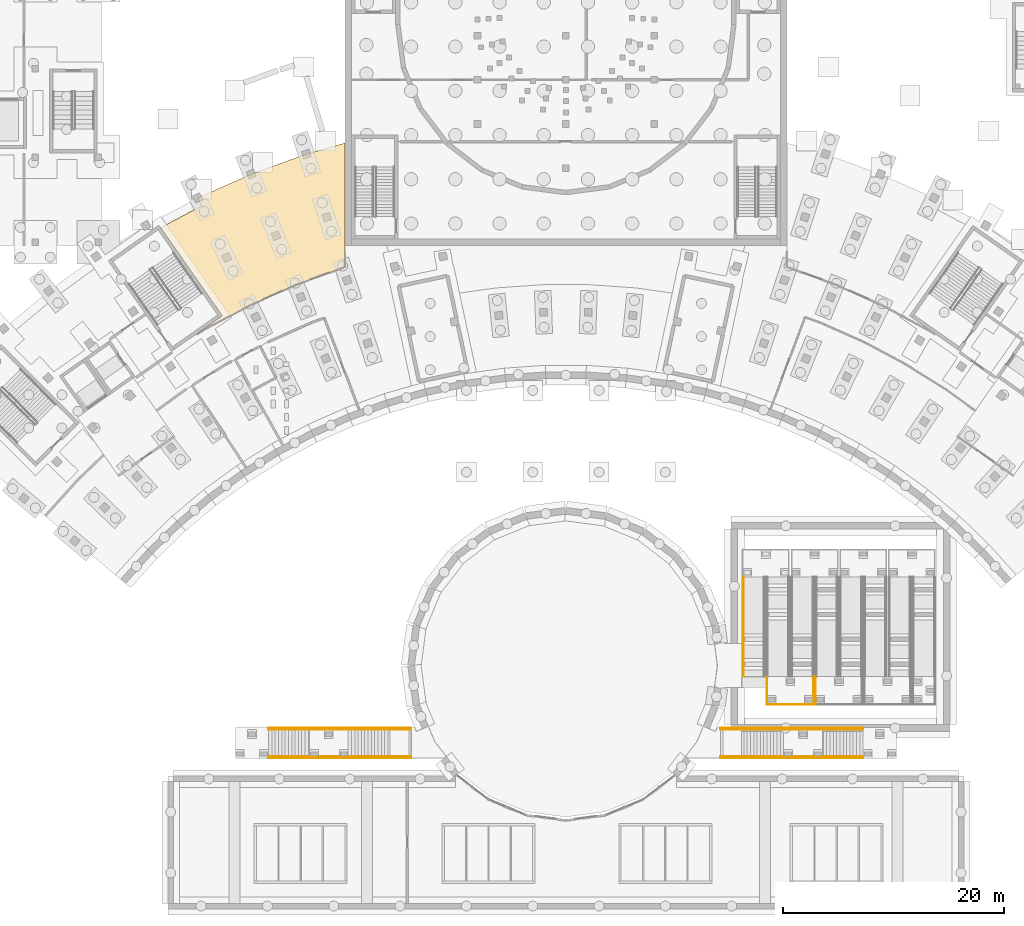
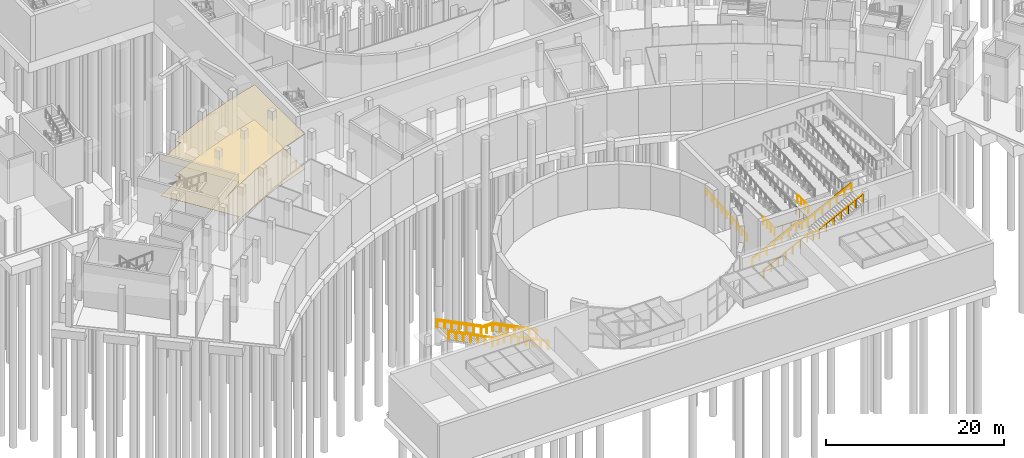
# One storey, part 38 of 66: 12 railings, 2 coverings.
"""IFC4 building model written with IfcOpenShell, lengths in metres."""

import ifcopenshell
import ifcopenshell.guid

model = None  # the IFC model being written
_history = None  # IfcOwnerHistory: only IFC2X3 demands one
_inside = {}  # id of a spatial element -> (the spatial element, [elements in it])
_under = {}  # id of a project, library or spatial element -> (it, [spatial elements below it])
_declared = {}  # id of a project -> (the project, [libraries it declares])
_typed = {}  # id of a type object -> (the type object, [elements of that type])
_made_of = {}  # id of a material, layer set ... -> (it, [elements and type objects made of it])


def new_model(schema):
    """Start an empty IFC model of exactly this schema.

    Asked for "IFC4X3", IfcOpenShell would pick the latest addendum, in which some entities
    have other attributes; the version numbers below select the first issue.
    IFC2X3 requires an IfcOwnerHistory on every rooted entity: one is made here for all.
    """
    global model, _history
    if schema == "IFC4X3":
        model = ifcopenshell.file(schema_version=(4, 3, 0, 0))
    else:
        model = ifcopenshell.file(schema=schema)
    _inside.clear()
    _under.clear()
    _declared.clear()
    _typed.clear()
    _made_of.clear()
    _history = None
    if model.schema == "IFC2X3":
        org = make("IfcOrganization", Name="unknown")
        user = make(
            "IfcPersonAndOrganization",
            ThePerson=make("IfcPerson", FamilyName="unknown"),
            TheOrganization=org,
        )
        app = make(
            "IfcApplication",
            ApplicationDeveloper=org,
            Version="unknown",
            ApplicationFullName="unknown",
            ApplicationIdentifier="unknown",
        )
        _history = make(
            "IfcOwnerHistory",
            OwningUser=user,
            OwningApplication=app,
            ChangeAction="ADDED",
            CreationDate=0,
        )
    return model


def make(cls, **values):
    """One entity of the class cls with the attributes given. An attribute that is None is left unset."""
    return model.create_entity(
        cls, **{name: value for name, value in values.items() if value is not None}
    )


def rooted(cls, **values):
    """An entity with a GlobalId (a new one), such as an element, a storey or a relation."""
    return make(cls, GlobalId=ifcopenshell.guid.new(), OwnerHistory=_history, **values)


def si_unit(unit_type, name, prefix=None):
    """IfcSIUnit, for example si_unit("LENGTHUNIT", "METRE", prefix="MILLI")."""
    return make("IfcSIUnit", UnitType=unit_type, Prefix=prefix, Name=name)


def assignment(units):
    """IfcUnitAssignment: the units of a project."""
    return None if units is None else make("IfcUnitAssignment", Units=units)


def point(xyz):
    """IfcCartesianPoint."""
    return None if xyz is None else make("IfcCartesianPoint", Coordinates=xyz)


def direction(xyz):
    """IfcDirection."""
    return None if xyz is None else make("IfcDirection", DirectionRatios=xyz)


def frame(location, z_axis=None, x_axis=None):
    """IfcAxis2Placement3D, a coordinate frame: its origin and axes. An axis left out is left unset."""
    return make(
        "IfcAxis2Placement3D",
        Location=point(location),
        Axis=direction(z_axis),
        RefDirection=direction(x_axis),
    )


def frame_2d(location, x_axis=None):
    """IfcAxis2Placement2D, a coordinate frame in the plane: its origin and x axis."""
    return make(
        "IfcAxis2Placement2D", Location=point(location), RefDirection=direction(x_axis)
    )


def origin():
    """The frame at (0, 0, 0) with its axes left unset."""
    return frame((0.0, 0.0, 0.0))


def origin_2d():
    """The frame at (0, 0) in the plane with its x axis left unset."""
    return frame_2d((0.0, 0.0))


def place(relative_to, where):
    """IfcLocalPlacement: puts the frame where relative to a parent placement (None: the world)."""
    return make(
        "IfcLocalPlacement", PlacementRelTo=relative_to, RelativePlacement=where
    )


def context(
    kind, dimensions, precision=None, world=None, true_north=None, identifier=None
):
    """IfcGeometricRepresentationContext, for example the 3D "Model" context."""
    return make(
        "IfcGeometricRepresentationContext",
        ContextIdentifier=identifier,
        ContextType=kind,
        CoordinateSpaceDimension=dimensions,
        Precision=precision,
        WorldCoordinateSystem=world,
        TrueNorth=true_north,
    )


def subcontext(parent, identifier, kind, view, scale=None):
    """IfcGeometricRepresentationSubContext, for example "Body" below "Model"."""
    return make(
        "IfcGeometricRepresentationSubContext",
        ContextIdentifier=identifier,
        ContextType=kind,
        ParentContext=parent,
        TargetScale=scale,
        TargetView=view,
    )


def project(units=None, contexts=None):
    """IfcProject with its units and contexts."""
    return rooted(
        "IfcProject",
        Name="project",
        RepresentationContexts=contexts,
        UnitsInContext=assignment(units),
    )


def spatial(cls, under=None, at=None, **own):
    """A site, building, storey or space (cls), placed at a placement, below another one or the project."""
    s = rooted(cls, ObjectPlacement=at, **own)
    if under is not None:
        _under.setdefault(under.id(), (under, []))[1].append(s)
    return s


def polyline(points):
    """IfcPolyline through the points."""
    return make("IfcPolyline", Points=[point(p) for p in points])


def profile(cls, at=None, kind="AREA", **sizes):
    """A parametric profile (cls). Its sizes go by their IFC names, for example OverallWidth=200.0."""
    return make(cls, ProfileType=kind, Position=at, **sizes)


def circle(**sizes):
    """IfcCircleProfileDef."""
    return profile("IfcCircleProfileDef", **sizes)


def outline(outer, holes=None, kind="AREA"):
    """IfcArbitraryClosedProfileDef: a profile drawn as a closed curve; with holes, ...WithVoids."""
    if holes is None:
        return make("IfcArbitraryClosedProfileDef", ProfileType=kind, OuterCurve=outer)
    return make(
        "IfcArbitraryProfileDefWithVoids",
        ProfileType=kind,
        OuterCurve=outer,
        InnerCurves=holes,
    )


def extrude(swept, where, along, depth):
    """IfcExtrudedAreaSolid: the profile swept, set in the frame where, extruded along a direction by depth."""
    return make(
        "IfcExtrudedAreaSolid",
        SweptArea=swept,
        Position=where,
        ExtrudedDirection=direction(along),
        Depth=depth,
    )


def shape(context_of_items, identifier, shape_type, items):
    """IfcShapeRepresentation: the items that make up one representation, for example the "Body"."""
    return make(
        "IfcShapeRepresentation",
        ContextOfItems=context_of_items,
        RepresentationIdentifier=identifier,
        RepresentationType=shape_type,
        Items=items,
    )


def material(Name=None, Category=None):
    """IfcMaterial."""
    return make("IfcMaterial", Name=Name, Category=Category)


def layer(
    of_material, thickness, ventilated=None, Name=None, Category=None, Priority=None
):
    """IfcMaterialLayer: one layer of a wall or slab, of a material (None: an air gap)."""
    return make(
        "IfcMaterialLayer",
        Material=of_material,
        LayerThickness=thickness,
        IsVentilated=ventilated,
        Name=Name,
        Category=Category,
        Priority=Priority,
    )


def layer_set(layers, Name=None):
    """IfcMaterialLayerSet."""
    return make("IfcMaterialLayerSet", MaterialLayers=layers, LayerSetName=Name)


def made_of(thing, what):
    """Note that an element or type object is made of a material, layer set ...; save() writes the relation."""
    if what is not None:
        _made_of.setdefault(what.id(), (what, []))[1].append(thing)
    return thing


def type_object(cls, material=None, **own):
    """A type object (cls), such as IfcWallType, which elements share."""
    return made_of(rooted(cls, **own), material)


def element(
    cls,
    number,
    at=None,
    inside=None,
    cuts=None,
    type_object=None,
    material=None,
    context=None,
    identifier="Body",
    shape_type=None,
    held_by="IfcProductDefinitionShape",
    body=None,
    shapes=None,
    **own,
):
    """One element of the class cls, such as IfcWall. Its Tag is "e" and its number.

    at: its placement. inside: the storey or other place that contains it. cuts: it is an
    opening in that element (IfcRelVoidsElement). A single representation is given by context,
    identifier, shape_type and body (its items); several are given by shapes. held_by: the class
    of the entity that holds the representations. save() writes the other relations.
    """
    e = rooted(cls, Tag="e%d" % number, ObjectPlacement=at, **own)
    if body is not None:
        shapes = [shape(context, identifier, shape_type, body)]
    if shapes is not None:
        e.Representation = make(held_by, Representations=shapes)
    if inside is not None:
        _inside.setdefault(inside.id(), (inside, []))[1].append(e)
    if cuts is not None:
        rooted(
            "IfcRelVoidsElement", RelatingBuildingElement=cuts, RelatedOpeningElement=e
        )
    if type_object is not None:
        _typed.setdefault(type_object.id(), (type_object, []))[1].append(e)
    return made_of(e, material)


def aggregate(whole, parts):
    """IfcRelAggregates: a whole, such as a stair, and the parts it consists of."""
    return rooted("IfcRelAggregates", RelatingObject=whole, RelatedObjects=parts)


def save(model, path):
    """Write the relations noted so far, then the file.

    IfcRelAggregates (storeys below a building ...), IfcRelContainedInSpatialStructure (elements
    in a storey), IfcRelDefinesByType, IfcRelAssociatesMaterial and IfcRelDeclares: one each for
    every whole, place, type object, material and project.
    """
    for whole, parts in _under.values():
        aggregate(whole, parts)
    for where, things in _inside.values():
        rooted(
            "IfcRelContainedInSpatialStructure",
            RelatedElements=things,
            RelatingStructure=where,
        )
    for kind, things in _typed.values():
        rooted("IfcRelDefinesByType", RelatedObjects=things, RelatingType=kind)
    for what, things in _made_of.values():
        rooted("IfcRelAssociatesMaterial", RelatedObjects=things, RelatingMaterial=what)
    for by, libraries in _declared.values():
        rooted("IfcRelDeclares", RelatingContext=by, RelatedDefinitions=libraries)
    model.write(path)


model = new_model("IFC4")

# Units and contexts
model_context = context("Model", 3, precision=1e-05, world=origin(), true_north=direction((0.0, 1.0)))
body_context = subcontext(model_context, "Body", "Model", "MODEL_VIEW")
ifc_project = project(units=[si_unit("LENGTHUNIT", "METRE"), si_unit("AREAUNIT", "SQUARE_METRE"), si_unit("VOLUMEUNIT", "CUBIC_METRE"), si_unit("PLANEANGLEUNIT", "RADIAN"), si_unit("MASSUNIT", "GRAM", prefix="KILO")], contexts=[model_context])

# Site, building, storey
site_placement = place(None, origin())
site = spatial("IfcSite", under=ifc_project, at=site_placement, CompositionType="ELEMENT")
building_placement = place(site_placement, origin())
building = spatial("IfcBuilding", under=site, at=building_placement, Name="Lunette Opera House", CompositionType="ELEMENT")
storey_placement = place(building_placement, frame((0.0, 0.0, -6.0)))
storey = spatial("IfcBuildingStorey", under=building, at=storey_placement, Name="B1", CompositionType="ELEMENT", Elevation=-6.0)

# Railings
ifc_material_1 = material(Name="Steel S355", Category="steel")
railing_type_1 = type_object("IfcRailingType", Name="RAMP GUARD 1100", PredefinedType="GUARDRAIL", material=ifc_material_1)
railing_1_placement = place(storey_placement, frame((114.199951171875, 22.5, 1.5)))
element("IfcRailing", 1, at=railing_1_placement, inside=storey, type_object=railing_type_1, Name="FR2 landing guard 1", PredefinedType="GUARDRAIL", context=body_context, shape_type="SweptSolid", body=[
    extrude(circle(Radius=0.02392578125, at=origin_2d()), frame((0.0, 0.0, 1.076171875), z_axis=(1.0, 0.0, 0.0), x_axis=(0.0, 1.0, 0.0)), (0.0, 0.0, 1.0), 4.199951171875),
    extrude(circle(Radius=0.02392578125, at=origin_2d()), frame((4.199951171875, 0.0, 1.076171875), z_axis=(0.0, 1.0, 0.0), x_axis=(-1.0, 0.0, 0.0)), (0.0, 0.0, 1.0), 2.47998046875),
    extrude(circle(Radius=0.02099609375, at=origin_2d()), origin(), (0.0, 0.0, 1.0), 1.052001953125),
    extrude(circle(Radius=0.02099609375, at=origin_2d()), frame((1.050048828125, 0.0, 0.0)), (0.0, 0.0, 1.0), 1.052001953125),
    extrude(circle(Radius=0.02099609375, at=origin_2d()), frame((2.10009765625, 0.0, 0.0)), (0.0, 0.0, 1.0), 1.052001953125),
    extrude(circle(Radius=0.02099609375, at=origin_2d()), frame((3.14990234375, 0.0, 0.0)), (0.0, 0.0, 1.0), 1.052001953125),
    extrude(circle(Radius=0.02099609375, at=origin_2d()), frame((4.199951171875, 0.0, 0.0)), (0.0, 0.0, 1.0), 1.052001953125),
    extrude(circle(Radius=0.02099609375, at=origin_2d()), frame((4.199951171875, 0.82666015625, 0.0)), (0.0, 0.0, 1.0), 1.052001953125),
    extrude(circle(Radius=0.02099609375, at=origin_2d()), frame((4.199951171875, 1.6533203125, 0.0)), (0.0, 0.0, 1.0), 1.052001953125),
    extrude(circle(Radius=0.02099609375, at=origin_2d()), frame((4.199951171875, 2.47998046875, 0.0)), (0.0, 0.0, 1.0), 1.052001953125),
])
for number, where, name in (
    (2, (114.199951171875, 24.97998046875, 1.5), "FR2 landing guard 3"),
    (3, (118.60009765625, 24.97998046875, 3.0), "FR4 landing guard 3"),
):
    element("IfcRailing", number, at=place(storey_placement, frame(where)), inside=storey, type_object=railing_type_1, Name=name, PredefinedType="GUARDRAIL", context=body_context, shape_type="SweptSolid", body=[
        extrude(circle(Radius=0.02392578125, at=origin_2d()), frame((0.0, 0.0, 1.076171875), z_axis=(0.0, -1.0, 0.0), x_axis=(1.0, 0.0, 0.0)), (0.0, 0.0, 1.0), 2.47998046875),
        extrude(circle(Radius=0.02099609375, at=origin_2d()), origin(), (0.0, 0.0, 1.0), 1.052001953125),
        extrude(circle(Radius=0.02099609375, at=origin_2d()), frame((0.0, -0.82666015625, 0.0)), (0.0, 0.0, 1.0), 1.052001953125),
        extrude(circle(Radius=0.02099609375, at=origin_2d()), frame((0.0, -1.6533203125, 0.0)), (0.0, 0.0, 1.0), 1.052001953125),
        extrude(circle(Radius=0.02099609375, at=origin_2d()), frame((0.0, -2.47998046875, 0.0)), (0.0, 0.0, 1.0), 1.052001953125),
    ])
ifc_material_2 = material(Name="Steel S355", Category="steel")
railing_type_2 = type_object("IfcRailingType", Name="RAMP HANDRAIL 950", PredefinedType="HANDRAIL", material=ifc_material_2)
railing_2_placement = place(storey_placement, frame((112.06005859375, 25.0, 0.0)))
element("IfcRailing", 4, at=railing_2_placement, inside=storey, type_object=railing_type_2, Name="FR1 ramp handrail 1", PredefinedType="HANDRAIL", context=body_context, shape_type="SweptSolid", body=[
    extrude(circle(Radius=0.02392578125, at=origin_2d()), frame((0.0, 0.0, 0.92578125), z_axis=(0.0, 0.996545758245, 0.083045479854), x_axis=(-1.0, 0.0, 0.0)), (0.0, 0.0, 1.0), 9.03125),
    extrude(circle(Radius=0.02099609375, at=origin_2d()), origin(), (0.0, 0.0, 1.0), 0.90185546875),
    extrude(circle(Radius=0.02099609375, at=origin_2d()), frame((0.0, 1.125, 0.09375)), (0.0, 0.0, 1.0), 0.90185546875),
    extrude(circle(Radius=0.02099609375, at=origin_2d()), frame((0.0, 2.25, 0.1875)), (0.0, 0.0, 1.0), 0.90185546875),
    extrude(circle(Radius=0.02099609375, at=origin_2d()), frame((0.0, 3.375, 0.28125)), (0.0, 0.0, 1.0), 0.90185546875),
    extrude(circle(Radius=0.02099609375, at=origin_2d()), frame((0.0, 4.5, 0.375)), (0.0, 0.0, 1.0), 0.90185546875),
    extrude(circle(Radius=0.02099609375, at=origin_2d()), frame((0.0, 5.625, 0.46875)), (0.0, 0.0, 1.0), 0.90185546875),
    extrude(circle(Radius=0.02099609375, at=origin_2d()), frame((0.0, 6.75, 0.5625)), (0.0, 0.0, 1.0), 0.90185546875),
    extrude(circle(Radius=0.02099609375, at=origin_2d()), frame((0.0, 7.875, 0.65625)), (0.0, 0.0, 1.0), 0.90185546875),
    extrude(circle(Radius=0.02099609375, at=origin_2d()), frame((0.0, 9.0, 0.75)), (0.0, 0.0, 1.0), 0.90185546875),
])
ifc_material_3 = material(Name="Steel S355", Category="steel")
railing_type_3 = type_object("IfcRailingType", Name="STAIR GUARD 1100", PredefinedType="GUARDRAIL", material=ifc_material_3)
railing_3_placement = place(storey_placement, frame((82.0, 17.64990234375, 0.14990234375)))
element("IfcRailing", 5, at=railing_3_placement, inside=storey, type_object=railing_type_3, Name="FS1 stair guard 1", PredefinedType="GUARDRAIL", context=body_context, shape_type="SweptSolid", body=[
    extrude(circle(Radius=0.02392578125, at=origin_2d()), frame((0.0, 0.0, 1.076171875), z_axis=(-0.894419528903, 0.0, 0.447228919365), x_axis=(0.0, -1.0, 0.0)), (0.0, 0.0, 1.0), 6.372802734375),
    extrude(circle(Radius=0.02392578125, at=origin_2d()), frame((-5.699951171875, 0.0, 3.92626953125), z_axis=(-1.0, 0.0, 0.0), x_axis=(0.0, -1.0, 0.0)), (0.0, 0.0, 1.0), 1.5),
    extrude(circle(Radius=0.02392578125, at=origin_2d()), frame((-7.199951171875, 0.0, 3.92626953125), z_axis=(0.0, 0.0, 1.0), x_axis=(1.0, 0.0, 0.0)), (0.0, 0.0, 1.0), 0.14990234375),
    extrude(circle(Radius=0.02392578125, at=origin_2d()), frame((-7.199951171875, 0.0, 4.076171875), z_axis=(-0.894419528903, 0.0, 0.447228919365), x_axis=(0.0, -1.0, 0.0)), (0.0, 0.0, 1.0), 6.372802734375),
    extrude(circle(Radius=0.02099609375, at=origin_2d()), origin(), (0.0, 0.0, 1.0), 1.052001953125),
    extrude(circle(Radius=0.02099609375, at=origin_2d()), frame((-0.949951171875, 0.0, 0.47509765625)), (0.0, 0.0, 1.0), 1.052001953125),
    extrude(circle(Radius=0.02099609375, at=origin_2d()), frame((-1.89990234375, 0.0, 0.949951171875)), (0.0, 0.0, 1.0), 1.052001953125),
    extrude(circle(Radius=0.02099609375, at=origin_2d()), frame((-2.85009765625, 0.0, 1.425048828125)), (0.0, 0.0, 1.0), 1.052001953125),
    extrude(circle(Radius=0.02099609375, at=origin_2d()), frame((-3.800048828125, 0.0, 1.900146484375)), (0.0, 0.0, 1.0), 1.052001953125),
    extrude(circle(Radius=0.02099609375, at=origin_2d()), frame((-4.75, 0.0, 2.375)), (0.0, 0.0, 1.0), 1.052001953125),
    extrude(circle(Radius=0.02099609375, at=origin_2d()), frame((-5.699951171875, 0.0, 2.85009765625)), (0.0, 0.0, 1.0), 1.052001953125),
    extrude(circle(Radius=0.02099609375, at=origin_2d()), frame((-6.449951171875, 0.0, 2.85009765625)), (0.0, 0.0, 1.0), 1.052001953125),
    extrude(circle(Radius=0.02099609375, at=origin_2d()), frame((-7.199951171875, 0.0, 2.85009765625)), (0.0, 0.0, 1.0), 1.052001953125),
    extrude(circle(Radius=0.02099609375, at=origin_2d()), frame((-7.199951171875, 0.0, 3.0)), (0.0, 0.0, 1.0), 1.052001953125),
    extrude(circle(Radius=0.02099609375, at=origin_2d()), frame((-8.14990234375, 0.0, 3.47509765625)), (0.0, 0.0, 1.0), 1.052001953125),
    extrude(circle(Radius=0.02099609375, at=origin_2d()), frame((-9.099853515625, 0.0, 3.949951171875)), (0.0, 0.0, 1.0), 1.052001953125),
    extrude(circle(Radius=0.02099609375, at=origin_2d()), frame((-10.0498046875, 0.0, 4.425048828125)), (0.0, 0.0, 1.0), 1.052001953125),
    extrude(circle(Radius=0.02099609375, at=origin_2d()), frame((-11.0, 0.0, 4.900146484375)), (0.0, 0.0, 1.0), 1.052001953125),
    extrude(circle(Radius=0.02099609375, at=origin_2d()), frame((-11.949951171875, 0.0, 5.375)), (0.0, 0.0, 1.0), 1.052001953125),
    extrude(circle(Radius=0.02099609375, at=origin_2d()), frame((-12.89990234375, 0.0, 5.85009765625)), (0.0, 0.0, 1.0), 1.052001953125),
])
railing_4_placement = place(storey_placement, frame((82.0, 20.35009765625, 0.14990234375)))
element("IfcRailing", 6, at=railing_4_placement, inside=storey, type_object=railing_type_3, Name="FS1 stair guard 2", PredefinedType="GUARDRAIL", context=body_context, shape_type="SweptSolid", body=[
    extrude(circle(Radius=0.02392578125, at=origin_2d()), frame((0.0, 0.0, 1.076171875), z_axis=(-0.894419528903, 0.0, 0.447228919365), x_axis=(0.0, -1.0, 0.0)), (0.0, 0.0, 1.0), 6.372802734375),
    extrude(circle(Radius=0.02392578125, at=origin_2d()), frame((-5.699951171875, 0.0, 3.92626953125), z_axis=(-1.0, 0.0, 0.0), x_axis=(0.0, -1.0, 0.0)), (0.0, 0.0, 1.0), 1.5),
    extrude(circle(Radius=0.02392578125, at=origin_2d()), frame((-7.199951171875, 0.0, 3.92626953125), z_axis=(0.0, 0.0, 1.0), x_axis=(1.0, 0.0, 0.0)), (0.0, 0.0, 1.0), 0.14990234375),
    extrude(circle(Radius=0.02392578125, at=origin_2d()), frame((-7.199951171875, 0.0, 4.076171875), z_axis=(-0.894419528903, 0.0, 0.447228919365), x_axis=(0.0, -1.0, 0.0)), (0.0, 0.0, 1.0), 6.372802734375),
    extrude(circle(Radius=0.02099609375, at=origin_2d()), origin(), (0.0, 0.0, 1.0), 1.052001953125),
    extrude(circle(Radius=0.02099609375, at=origin_2d()), frame((-0.949951171875, 0.0, 0.47509765625)), (0.0, 0.0, 1.0), 1.052001953125),
    extrude(circle(Radius=0.02099609375, at=origin_2d()), frame((-1.89990234375, 0.0, 0.949951171875)), (0.0, 0.0, 1.0), 1.052001953125),
    extrude(circle(Radius=0.02099609375, at=origin_2d()), frame((-2.85009765625, 0.0, 1.425048828125)), (0.0, 0.0, 1.0), 1.052001953125),
    extrude(circle(Radius=0.02099609375, at=origin_2d()), frame((-3.800048828125, 0.0, 1.900146484375)), (0.0, 0.0, 1.0), 1.052001953125),
    extrude(circle(Radius=0.02099609375, at=origin_2d()), frame((-4.75, 0.0, 2.375)), (0.0, 0.0, 1.0), 1.052001953125),
    extrude(circle(Radius=0.02099609375, at=origin_2d()), frame((-5.699951171875, 0.0, 2.85009765625)), (0.0, 0.0, 1.0), 1.052001953125),
    extrude(circle(Radius=0.02099609375, at=origin_2d()), frame((-6.449951171875, 0.0, 2.85009765625)), (0.0, 0.0, 1.0), 1.052001953125),
    extrude(circle(Radius=0.02099609375, at=origin_2d()), frame((-7.199951171875, 0.0, 2.85009765625)), (0.0, 0.0, 1.0), 1.052001953125),
    extrude(circle(Radius=0.02099609375, at=origin_2d()), frame((-7.199951171875, 0.0, 3.0)), (0.0, 0.0, 1.0), 1.052001953125),
    extrude(circle(Radius=0.02099609375, at=origin_2d()), frame((-8.14990234375, 0.0, 3.47509765625)), (0.0, 0.0, 1.0), 1.052001953125),
    extrude(circle(Radius=0.02099609375, at=origin_2d()), frame((-9.099853515625, 0.0, 3.949951171875)), (0.0, 0.0, 1.0), 1.052001953125),
    extrude(circle(Radius=0.02099609375, at=origin_2d()), frame((-10.0498046875, 0.0, 4.425048828125)), (0.0, 0.0, 1.0), 1.052001953125),
    extrude(circle(Radius=0.02099609375, at=origin_2d()), frame((-11.0, 0.0, 4.900146484375)), (0.0, 0.0, 1.0), 1.052001953125),
    extrude(circle(Radius=0.02099609375, at=origin_2d()), frame((-11.949951171875, 0.0, 5.375)), (0.0, 0.0, 1.0), 1.052001953125),
    extrude(circle(Radius=0.02099609375, at=origin_2d()), frame((-12.89990234375, 0.0, 5.85009765625)), (0.0, 0.0, 1.0), 1.052001953125),
])
railing_5_placement = place(storey_placement, frame((110.0, 17.64990234375, 0.14990234375)))
element("IfcRailing", 7, at=railing_5_placement, inside=storey, type_object=railing_type_3, Name="FS2 stair guard 1", PredefinedType="GUARDRAIL", context=body_context, shape_type="SweptSolid", body=[
    extrude(circle(Radius=0.02392578125, at=origin_2d()), frame((0.0, 0.0, 1.076171875), z_axis=(0.894419528903, 0.0, 0.447228919365), x_axis=(0.0, 1.0, 0.0)), (0.0, 0.0, 1.0), 6.372802734375),
    extrude(circle(Radius=0.02392578125, at=origin_2d()), frame((5.699951171875, 0.0, 3.92626953125), z_axis=(1.0, 0.0, 0.0), x_axis=(0.0, 1.0, 0.0)), (0.0, 0.0, 1.0), 1.5),
    extrude(circle(Radius=0.02392578125, at=origin_2d()), frame((7.199951171875, 0.0, 3.92626953125), z_axis=(0.0, 0.0, 1.0), x_axis=(1.0, 0.0, 0.0)), (0.0, 0.0, 1.0), 0.14990234375),
    extrude(circle(Radius=0.02392578125, at=origin_2d()), frame((7.199951171875, 0.0, 4.076171875), z_axis=(0.894419528903, 0.0, 0.447228919365), x_axis=(0.0, 1.0, 0.0)), (0.0, 0.0, 1.0), 6.372802734375),
    extrude(circle(Radius=0.02099609375, at=origin_2d()), origin(), (0.0, 0.0, 1.0), 1.052001953125),
    extrude(circle(Radius=0.02099609375, at=origin_2d()), frame((0.949951171875, 0.0, 0.47509765625)), (0.0, 0.0, 1.0), 1.052001953125),
    extrude(circle(Radius=0.02099609375, at=origin_2d()), frame((1.89990234375, 0.0, 0.949951171875)), (0.0, 0.0, 1.0), 1.052001953125),
    extrude(circle(Radius=0.02099609375, at=origin_2d()), frame((2.85009765625, 0.0, 1.425048828125)), (0.0, 0.0, 1.0), 1.052001953125),
    extrude(circle(Radius=0.02099609375, at=origin_2d()), frame((3.800048828125, 0.0, 1.900146484375)), (0.0, 0.0, 1.0), 1.052001953125),
    extrude(circle(Radius=0.02099609375, at=origin_2d()), frame((4.75, 0.0, 2.375)), (0.0, 0.0, 1.0), 1.052001953125),
    extrude(circle(Radius=0.02099609375, at=origin_2d()), frame((5.699951171875, 0.0, 2.85009765625)), (0.0, 0.0, 1.0), 1.052001953125),
    extrude(circle(Radius=0.02099609375, at=origin_2d()), frame((6.449951171875, 0.0, 2.85009765625)), (0.0, 0.0, 1.0), 1.052001953125),
    extrude(circle(Radius=0.02099609375, at=origin_2d()), frame((7.199951171875, 0.0, 2.85009765625)), (0.0, 0.0, 1.0), 1.052001953125),
    extrude(circle(Radius=0.02099609375, at=origin_2d()), frame((7.199951171875, 0.0, 3.0)), (0.0, 0.0, 1.0), 1.052001953125),
    extrude(circle(Radius=0.02099609375, at=origin_2d()), frame((8.14990234375, 0.0, 3.47509765625)), (0.0, 0.0, 1.0), 1.052001953125),
    extrude(circle(Radius=0.02099609375, at=origin_2d()), frame((9.099853515625, 0.0, 3.949951171875)), (0.0, 0.0, 1.0), 1.052001953125),
    extrude(circle(Radius=0.02099609375, at=origin_2d()), frame((10.0498046875, 0.0, 4.425048828125)), (0.0, 0.0, 1.0), 1.052001953125),
    extrude(circle(Radius=0.02099609375, at=origin_2d()), frame((11.0, 0.0, 4.900146484375)), (0.0, 0.0, 1.0), 1.052001953125),
    extrude(circle(Radius=0.02099609375, at=origin_2d()), frame((11.949951171875, 0.0, 5.375)), (0.0, 0.0, 1.0), 1.052001953125),
    extrude(circle(Radius=0.02099609375, at=origin_2d()), frame((12.89990234375, 0.0, 5.85009765625)), (0.0, 0.0, 1.0), 1.052001953125),
])
railing_6_placement = place(storey_placement, frame((110.0, 20.35009765625, 0.14990234375)))
element("IfcRailing", 8, at=railing_6_placement, inside=storey, type_object=railing_type_3, Name="FS2 stair guard 2", PredefinedType="GUARDRAIL", context=body_context, shape_type="SweptSolid", body=[
    extrude(circle(Radius=0.02392578125, at=origin_2d()), frame((0.0, 0.0, 1.076171875), z_axis=(0.894419528903, 0.0, 0.447228919365), x_axis=(0.0, 1.0, 0.0)), (0.0, 0.0, 1.0), 6.372802734375),
    extrude(circle(Radius=0.02392578125, at=origin_2d()), frame((5.699951171875, 0.0, 3.92626953125), z_axis=(1.0, 0.0, 0.0), x_axis=(0.0, 1.0, 0.0)), (0.0, 0.0, 1.0), 1.5),
    extrude(circle(Radius=0.02392578125, at=origin_2d()), frame((7.199951171875, 0.0, 3.92626953125), z_axis=(0.0, 0.0, 1.0), x_axis=(1.0, 0.0, 0.0)), (0.0, 0.0, 1.0), 0.14990234375),
    extrude(circle(Radius=0.02392578125, at=origin_2d()), frame((7.199951171875, 0.0, 4.076171875), z_axis=(0.894419528903, 0.0, 0.447228919365), x_axis=(0.0, 1.0, 0.0)), (0.0, 0.0, 1.0), 6.372802734375),
    extrude(circle(Radius=0.02099609375, at=origin_2d()), origin(), (0.0, 0.0, 1.0), 1.052001953125),
    extrude(circle(Radius=0.02099609375, at=origin_2d()), frame((0.949951171875, 0.0, 0.47509765625)), (0.0, 0.0, 1.0), 1.052001953125),
    extrude(circle(Radius=0.02099609375, at=origin_2d()), frame((1.89990234375, 0.0, 0.949951171875)), (0.0, 0.0, 1.0), 1.052001953125),
    extrude(circle(Radius=0.02099609375, at=origin_2d()), frame((2.85009765625, 0.0, 1.425048828125)), (0.0, 0.0, 1.0), 1.052001953125),
    extrude(circle(Radius=0.02099609375, at=origin_2d()), frame((3.800048828125, 0.0, 1.900146484375)), (0.0, 0.0, 1.0), 1.052001953125),
    extrude(circle(Radius=0.02099609375, at=origin_2d()), frame((4.75, 0.0, 2.375)), (0.0, 0.0, 1.0), 1.052001953125),
    extrude(circle(Radius=0.02099609375, at=origin_2d()), frame((5.699951171875, 0.0, 2.85009765625)), (0.0, 0.0, 1.0), 1.052001953125),
    extrude(circle(Radius=0.02099609375, at=origin_2d()), frame((6.449951171875, 0.0, 2.85009765625)), (0.0, 0.0, 1.0), 1.052001953125),
    extrude(circle(Radius=0.02099609375, at=origin_2d()), frame((7.199951171875, 0.0, 2.85009765625)), (0.0, 0.0, 1.0), 1.052001953125),
    extrude(circle(Radius=0.02099609375, at=origin_2d()), frame((7.199951171875, 0.0, 3.0)), (0.0, 0.0, 1.0), 1.052001953125),
    extrude(circle(Radius=0.02099609375, at=origin_2d()), frame((8.14990234375, 0.0, 3.47509765625)), (0.0, 0.0, 1.0), 1.052001953125),
    extrude(circle(Radius=0.02099609375, at=origin_2d()), frame((9.099853515625, 0.0, 3.949951171875)), (0.0, 0.0, 1.0), 1.052001953125),
    extrude(circle(Radius=0.02099609375, at=origin_2d()), frame((10.0498046875, 0.0, 4.425048828125)), (0.0, 0.0, 1.0), 1.052001953125),
    extrude(circle(Radius=0.02099609375, at=origin_2d()), frame((11.0, 0.0, 4.900146484375)), (0.0, 0.0, 1.0), 1.052001953125),
    extrude(circle(Radius=0.02099609375, at=origin_2d()), frame((11.949951171875, 0.0, 5.375)), (0.0, 0.0, 1.0), 1.052001953125),
    extrude(circle(Radius=0.02099609375, at=origin_2d()), frame((12.89990234375, 0.0, 5.85009765625)), (0.0, 0.0, 1.0), 1.052001953125),
])
ifc_material_4 = material(Name="Steel S355", Category="steel")
railing_type_4 = type_object("IfcRailingType", Name="STAIR HANDRAIL 1000", PredefinedType="HANDRAIL", material=ifc_material_4)
railing_7_placement = place(storey_placement, frame((82.0, 17.77001953125, 0.14990234375)))
element("IfcRailing", 9, at=railing_7_placement, inside=storey, type_object=railing_type_4, Name="FS1 stair handrail 1", PredefinedType="HANDRAIL", context=body_context, shape_type="SweptSolid", body=[
    extrude(circle(Radius=0.02392578125, at=origin_2d()), frame((0.0, 0.0, 0.97607421875), z_axis=(-0.894419528903, 0.0, 0.447228919365), x_axis=(0.0, -1.0, 0.0)), (0.0, 0.0, 1.0), 6.372802734375),
    extrude(circle(Radius=0.02392578125, at=origin_2d()), frame((-5.699951171875, 0.0, 3.826171875), z_axis=(-1.0, 0.0, 0.0), x_axis=(0.0, -1.0, 0.0)), (0.0, 0.0, 1.0), 1.5),
    extrude(circle(Radius=0.02392578125, at=origin_2d()), frame((-7.199951171875, 0.0, 3.826171875), z_axis=(0.0, 0.0, 1.0), x_axis=(1.0, 0.0, 0.0)), (0.0, 0.0, 1.0), 0.14990234375),
    extrude(circle(Radius=0.02392578125, at=origin_2d()), frame((-7.199951171875, 0.0, 3.97607421875), z_axis=(-0.894419528903, 0.0, 0.447228919365), x_axis=(0.0, -1.0, 0.0)), (0.0, 0.0, 1.0), 6.372802734375),
    extrude(circle(Radius=0.02099609375, at=origin_2d()), origin(), (0.0, 0.0, 1.0), 0.951904296875),
    extrude(circle(Radius=0.02099609375, at=origin_2d()), frame((-0.949951171875, 0.0, 0.47509765625)), (0.0, 0.0, 1.0), 0.951904296875),
    extrude(circle(Radius=0.02099609375, at=origin_2d()), frame((-1.89990234375, 0.0, 0.949951171875)), (0.0, 0.0, 1.0), 0.951904296875),
    extrude(circle(Radius=0.02099609375, at=origin_2d()), frame((-2.85009765625, 0.0, 1.425048828125)), (0.0, 0.0, 1.0), 0.951904296875),
    extrude(circle(Radius=0.02099609375, at=origin_2d()), frame((-3.800048828125, 0.0, 1.900146484375)), (0.0, 0.0, 1.0), 0.951904296875),
    extrude(circle(Radius=0.02099609375, at=origin_2d()), frame((-4.75, 0.0, 2.375)), (0.0, 0.0, 1.0), 0.951904296875),
    extrude(circle(Radius=0.02099609375, at=origin_2d()), frame((-5.699951171875, 0.0, 2.85009765625)), (0.0, 0.0, 1.0), 0.951904296875),
    extrude(circle(Radius=0.02099609375, at=origin_2d()), frame((-6.449951171875, 0.0, 2.85009765625)), (0.0, 0.0, 1.0), 0.951904296875),
    extrude(circle(Radius=0.02099609375, at=origin_2d()), frame((-7.199951171875, 0.0, 2.85009765625)), (0.0, 0.0, 1.0), 0.951904296875),
    extrude(circle(Radius=0.02099609375, at=origin_2d()), frame((-7.199951171875, 0.0, 3.0)), (0.0, 0.0, 1.0), 0.951904296875),
    extrude(circle(Radius=0.02099609375, at=origin_2d()), frame((-8.14990234375, 0.0, 3.47509765625)), (0.0, 0.0, 1.0), 0.951904296875),
    extrude(circle(Radius=0.02099609375, at=origin_2d()), frame((-9.099853515625, 0.0, 3.949951171875)), (0.0, 0.0, 1.0), 0.951904296875),
    extrude(circle(Radius=0.02099609375, at=origin_2d()), frame((-10.0498046875, 0.0, 4.425048828125)), (0.0, 0.0, 1.0), 0.951904296875),
    extrude(circle(Radius=0.02099609375, at=origin_2d()), frame((-11.0, 0.0, 4.900146484375)), (0.0, 0.0, 1.0), 0.951904296875),
    extrude(circle(Radius=0.02099609375, at=origin_2d()), frame((-11.949951171875, 0.0, 5.375)), (0.0, 0.0, 1.0), 0.951904296875),
    extrude(circle(Radius=0.02099609375, at=origin_2d()), frame((-12.89990234375, 0.0, 5.85009765625)), (0.0, 0.0, 1.0), 0.951904296875),
])
railing_8_placement = place(storey_placement, frame((82.0, 20.22998046875, 0.14990234375)))
element("IfcRailing", 10, at=railing_8_placement, inside=storey, type_object=railing_type_4, Name="FS1 stair handrail 2", PredefinedType="HANDRAIL", context=body_context, shape_type="SweptSolid", body=[
    extrude(circle(Radius=0.02392578125, at=origin_2d()), frame((0.0, 0.0, 0.97607421875), z_axis=(-0.894419528903, 0.0, 0.447228919365), x_axis=(0.0, -1.0, 0.0)), (0.0, 0.0, 1.0), 6.372802734375),
    extrude(circle(Radius=0.02392578125, at=origin_2d()), frame((-5.699951171875, 0.0, 3.826171875), z_axis=(-1.0, 0.0, 0.0), x_axis=(0.0, -1.0, 0.0)), (0.0, 0.0, 1.0), 1.5),
    extrude(circle(Radius=0.02392578125, at=origin_2d()), frame((-7.199951171875, 0.0, 3.826171875), z_axis=(0.0, 0.0, 1.0), x_axis=(1.0, 0.0, 0.0)), (0.0, 0.0, 1.0), 0.14990234375),
    extrude(circle(Radius=0.02392578125, at=origin_2d()), frame((-7.199951171875, 0.0, 3.97607421875), z_axis=(-0.894419528903, 0.0, 0.447228919365), x_axis=(0.0, -1.0, 0.0)), (0.0, 0.0, 1.0), 6.372802734375),
    extrude(circle(Radius=0.02099609375, at=origin_2d()), origin(), (0.0, 0.0, 1.0), 0.951904296875),
    extrude(circle(Radius=0.02099609375, at=origin_2d()), frame((-0.949951171875, 0.0, 0.47509765625)), (0.0, 0.0, 1.0), 0.951904296875),
    extrude(circle(Radius=0.02099609375, at=origin_2d()), frame((-1.89990234375, 0.0, 0.949951171875)), (0.0, 0.0, 1.0), 0.951904296875),
    extrude(circle(Radius=0.02099609375, at=origin_2d()), frame((-2.85009765625, 0.0, 1.425048828125)), (0.0, 0.0, 1.0), 0.951904296875),
    extrude(circle(Radius=0.02099609375, at=origin_2d()), frame((-3.800048828125, 0.0, 1.900146484375)), (0.0, 0.0, 1.0), 0.951904296875),
    extrude(circle(Radius=0.02099609375, at=origin_2d()), frame((-4.75, 0.0, 2.375)), (0.0, 0.0, 1.0), 0.951904296875),
    extrude(circle(Radius=0.02099609375, at=origin_2d()), frame((-5.699951171875, 0.0, 2.85009765625)), (0.0, 0.0, 1.0), 0.951904296875),
    extrude(circle(Radius=0.02099609375, at=origin_2d()), frame((-6.449951171875, 0.0, 2.85009765625)), (0.0, 0.0, 1.0), 0.951904296875),
    extrude(circle(Radius=0.02099609375, at=origin_2d()), frame((-7.199951171875, 0.0, 2.85009765625)), (0.0, 0.0, 1.0), 0.951904296875),
    extrude(circle(Radius=0.02099609375, at=origin_2d()), frame((-7.199951171875, 0.0, 3.0)), (0.0, 0.0, 1.0), 0.951904296875),
    extrude(circle(Radius=0.02099609375, at=origin_2d()), frame((-8.14990234375, 0.0, 3.47509765625)), (0.0, 0.0, 1.0), 0.951904296875),
    extrude(circle(Radius=0.02099609375, at=origin_2d()), frame((-9.099853515625, 0.0, 3.949951171875)), (0.0, 0.0, 1.0), 0.951904296875),
    extrude(circle(Radius=0.02099609375, at=origin_2d()), frame((-10.0498046875, 0.0, 4.425048828125)), (0.0, 0.0, 1.0), 0.951904296875),
    extrude(circle(Radius=0.02099609375, at=origin_2d()), frame((-11.0, 0.0, 4.900146484375)), (0.0, 0.0, 1.0), 0.951904296875),
    extrude(circle(Radius=0.02099609375, at=origin_2d()), frame((-11.949951171875, 0.0, 5.375)), (0.0, 0.0, 1.0), 0.951904296875),
    extrude(circle(Radius=0.02099609375, at=origin_2d()), frame((-12.89990234375, 0.0, 5.85009765625)), (0.0, 0.0, 1.0), 0.951904296875),
])
railing_9_placement = place(storey_placement, frame((110.0, 17.77001953125, 0.14990234375)))
element("IfcRailing", 11, at=railing_9_placement, inside=storey, type_object=railing_type_4, Name="FS2 stair handrail 1", PredefinedType="HANDRAIL", context=body_context, shape_type="SweptSolid", body=[
    extrude(circle(Radius=0.02392578125, at=origin_2d()), frame((0.0, 0.0, 0.97607421875), z_axis=(0.894419528903, 0.0, 0.447228919365), x_axis=(0.0, 1.0, 0.0)), (0.0, 0.0, 1.0), 6.372802734375),
    extrude(circle(Radius=0.02392578125, at=origin_2d()), frame((5.699951171875, 0.0, 3.826171875), z_axis=(1.0, 0.0, 0.0), x_axis=(0.0, 1.0, 0.0)), (0.0, 0.0, 1.0), 1.5),
    extrude(circle(Radius=0.02392578125, at=origin_2d()), frame((7.199951171875, 0.0, 3.826171875), z_axis=(0.0, 0.0, 1.0), x_axis=(1.0, 0.0, 0.0)), (0.0, 0.0, 1.0), 0.14990234375),
    extrude(circle(Radius=0.02392578125, at=origin_2d()), frame((7.199951171875, 0.0, 3.97607421875), z_axis=(0.894419528903, 0.0, 0.447228919365), x_axis=(0.0, 1.0, 0.0)), (0.0, 0.0, 1.0), 6.372802734375),
    extrude(circle(Radius=0.02099609375, at=origin_2d()), origin(), (0.0, 0.0, 1.0), 0.951904296875),
    extrude(circle(Radius=0.02099609375, at=origin_2d()), frame((0.949951171875, 0.0, 0.47509765625)), (0.0, 0.0, 1.0), 0.951904296875),
    extrude(circle(Radius=0.02099609375, at=origin_2d()), frame((1.89990234375, 0.0, 0.949951171875)), (0.0, 0.0, 1.0), 0.951904296875),
    extrude(circle(Radius=0.02099609375, at=origin_2d()), frame((2.85009765625, 0.0, 1.425048828125)), (0.0, 0.0, 1.0), 0.951904296875),
    extrude(circle(Radius=0.02099609375, at=origin_2d()), frame((3.800048828125, 0.0, 1.900146484375)), (0.0, 0.0, 1.0), 0.951904296875),
    extrude(circle(Radius=0.02099609375, at=origin_2d()), frame((4.75, 0.0, 2.375)), (0.0, 0.0, 1.0), 0.951904296875),
    extrude(circle(Radius=0.02099609375, at=origin_2d()), frame((5.699951171875, 0.0, 2.85009765625)), (0.0, 0.0, 1.0), 0.951904296875),
    extrude(circle(Radius=0.02099609375, at=origin_2d()), frame((6.449951171875, 0.0, 2.85009765625)), (0.0, 0.0, 1.0), 0.951904296875),
    extrude(circle(Radius=0.02099609375, at=origin_2d()), frame((7.199951171875, 0.0, 2.85009765625)), (0.0, 0.0, 1.0), 0.951904296875),
    extrude(circle(Radius=0.02099609375, at=origin_2d()), frame((7.199951171875, 0.0, 3.0)), (0.0, 0.0, 1.0), 0.951904296875),
    extrude(circle(Radius=0.02099609375, at=origin_2d()), frame((8.14990234375, 0.0, 3.47509765625)), (0.0, 0.0, 1.0), 0.951904296875),
    extrude(circle(Radius=0.02099609375, at=origin_2d()), frame((9.099853515625, 0.0, 3.949951171875)), (0.0, 0.0, 1.0), 0.951904296875),
    extrude(circle(Radius=0.02099609375, at=origin_2d()), frame((10.0498046875, 0.0, 4.425048828125)), (0.0, 0.0, 1.0), 0.951904296875),
    extrude(circle(Radius=0.02099609375, at=origin_2d()), frame((11.0, 0.0, 4.900146484375)), (0.0, 0.0, 1.0), 0.951904296875),
    extrude(circle(Radius=0.02099609375, at=origin_2d()), frame((11.949951171875, 0.0, 5.375)), (0.0, 0.0, 1.0), 0.951904296875),
    extrude(circle(Radius=0.02099609375, at=origin_2d()), frame((12.89990234375, 0.0, 5.85009765625)), (0.0, 0.0, 1.0), 0.951904296875),
])
railing_10_placement = place(storey_placement, frame((110.0, 20.22998046875, 0.14990234375)))
element("IfcRailing", 12, at=railing_10_placement, inside=storey, type_object=railing_type_4, Name="FS2 stair handrail 2", PredefinedType="HANDRAIL", context=body_context, shape_type="SweptSolid", body=[
    extrude(circle(Radius=0.02392578125, at=origin_2d()), frame((0.0, 0.0, 0.97607421875), z_axis=(0.894419528903, 0.0, 0.447228919365), x_axis=(0.0, 1.0, 0.0)), (0.0, 0.0, 1.0), 6.372802734375),
    extrude(circle(Radius=0.02392578125, at=origin_2d()), frame((5.699951171875, 0.0, 3.826171875), z_axis=(1.0, 0.0, 0.0), x_axis=(0.0, 1.0, 0.0)), (0.0, 0.0, 1.0), 1.5),
    extrude(circle(Radius=0.02392578125, at=origin_2d()), frame((7.199951171875, 0.0, 3.826171875), z_axis=(0.0, 0.0, 1.0), x_axis=(1.0, 0.0, 0.0)), (0.0, 0.0, 1.0), 0.14990234375),
    extrude(circle(Radius=0.02392578125, at=origin_2d()), frame((7.199951171875, 0.0, 3.97607421875), z_axis=(0.894419528903, 0.0, 0.447228919365), x_axis=(0.0, 1.0, 0.0)), (0.0, 0.0, 1.0), 6.372802734375),
    extrude(circle(Radius=0.02099609375, at=origin_2d()), origin(), (0.0, 0.0, 1.0), 0.951904296875),
    extrude(circle(Radius=0.02099609375, at=origin_2d()), frame((0.949951171875, 0.0, 0.47509765625)), (0.0, 0.0, 1.0), 0.951904296875),
    extrude(circle(Radius=0.02099609375, at=origin_2d()), frame((1.89990234375, 0.0, 0.949951171875)), (0.0, 0.0, 1.0), 0.951904296875),
    extrude(circle(Radius=0.02099609375, at=origin_2d()), frame((2.85009765625, 0.0, 1.425048828125)), (0.0, 0.0, 1.0), 0.951904296875),
    extrude(circle(Radius=0.02099609375, at=origin_2d()), frame((3.800048828125, 0.0, 1.900146484375)), (0.0, 0.0, 1.0), 0.951904296875),
    extrude(circle(Radius=0.02099609375, at=origin_2d()), frame((4.75, 0.0, 2.375)), (0.0, 0.0, 1.0), 0.951904296875),
    extrude(circle(Radius=0.02099609375, at=origin_2d()), frame((5.699951171875, 0.0, 2.85009765625)), (0.0, 0.0, 1.0), 0.951904296875),
    extrude(circle(Radius=0.02099609375, at=origin_2d()), frame((6.449951171875, 0.0, 2.85009765625)), (0.0, 0.0, 1.0), 0.951904296875),
    extrude(circle(Radius=0.02099609375, at=origin_2d()), frame((7.199951171875, 0.0, 2.85009765625)), (0.0, 0.0, 1.0), 0.951904296875),
    extrude(circle(Radius=0.02099609375, at=origin_2d()), frame((7.199951171875, 0.0, 3.0)), (0.0, 0.0, 1.0), 0.951904296875),
    extrude(circle(Radius=0.02099609375, at=origin_2d()), frame((8.14990234375, 0.0, 3.47509765625)), (0.0, 0.0, 1.0), 0.951904296875),
    extrude(circle(Radius=0.02099609375, at=origin_2d()), frame((9.099853515625, 0.0, 3.949951171875)), (0.0, 0.0, 1.0), 0.951904296875),
    extrude(circle(Radius=0.02099609375, at=origin_2d()), frame((10.0498046875, 0.0, 4.425048828125)), (0.0, 0.0, 1.0), 0.951904296875),
    extrude(circle(Radius=0.02099609375, at=origin_2d()), frame((11.0, 0.0, 4.900146484375)), (0.0, 0.0, 1.0), 0.951904296875),
    extrude(circle(Radius=0.02099609375, at=origin_2d()), frame((11.949951171875, 0.0, 5.375)), (0.0, 0.0, 1.0), 0.951904296875),
    extrude(circle(Radius=0.02099609375, at=origin_2d()), frame((12.89990234375, 0.0, 5.85009765625)), (0.0, 0.0, 1.0), 0.951904296875),
])

# Coverings
ifc_material_5 = material(Name="Mineral fibre board")
ifc_layer_1 = layer(ifc_material_5, 0.014892578125)
ifc_layer_set_1 = layer_set([ifc_layer_1], Name="Mineral fibre board")
covering_type_1 = type_object("IfcCoveringType", Name="SUSPENDED ACOUSTIC CEILING 15", PredefinedType="CEILING", material=ifc_layer_set_1)
covering_1_placement = place(storey_placement, frame((0.0, 0.0, 4.81494140625)))
element("IfcCovering", 13, at=covering_1_placement, inside=storey, type_object=covering_type_1, Name="Ceiling Community Room", PredefinedType="CEILING", context=body_context, shape_type="SweptSolid", body=[
    extrude(outline(polyline([(62.68408203125, 68.30810546875), (67.530029296875, 70.466064453125), (72.514892578125, 72.280029296875), (76.0, 73.280029296875), (76.0, 64.0), (76.0, 62.051025390625), (75.85205078125, 62.009033203125), (71.575927734375, 60.451904296875), (67.41796875, 58.60107421875), (63.39990234375, 56.465087890625), (61.80810546875, 55.469970703125), (64.9140625, 57.64501953125), (59.3310546875, 65.6201171875), (63.033935546875, 67.589111328125), (62.68408203125, 68.30810546875)])), origin(), (0.0, 0.0, 1.0), 0.01513671875),
])
ifc_material_6 = material(Name="Timber", Category="wood")
ifc_layer_2 = layer(ifc_material_6, 0.0400390625)
ifc_layer_set_2 = layer_set([ifc_layer_2], Name="Timber")
covering_type_2 = type_object("IfcCoveringType", Name="TIMBER FLOOR FINISH 40", PredefinedType="FLOORING", material=ifc_layer_set_2)
covering_2_placement = place(storey_placement, origin())
element("IfcCovering", 14, at=covering_2_placement, inside=storey, type_object=covering_type_2, Name="Floor finish Community Room", PredefinedType="FLOORING", context=body_context, shape_type="SweptSolid", body=[
    extrude(outline(polyline([(62.68408203125, 68.30810546875), (67.530029296875, 70.466064453125), (72.514892578125, 72.280029296875), (76.0, 73.280029296875), (76.0, 64.0), (76.0, 62.051025390625), (75.85205078125, 62.009033203125), (71.575927734375, 60.451904296875), (67.41796875, 58.60107421875), (63.39990234375, 56.465087890625), (61.80810546875, 55.469970703125), (64.9140625, 57.64501953125), (59.3310546875, 65.6201171875), (63.033935546875, 67.589111328125), (62.68408203125, 68.30810546875)])), origin(), (0.0, 0.0, 1.0), 0.0400390625),
])

save(model, "model.ifc")
